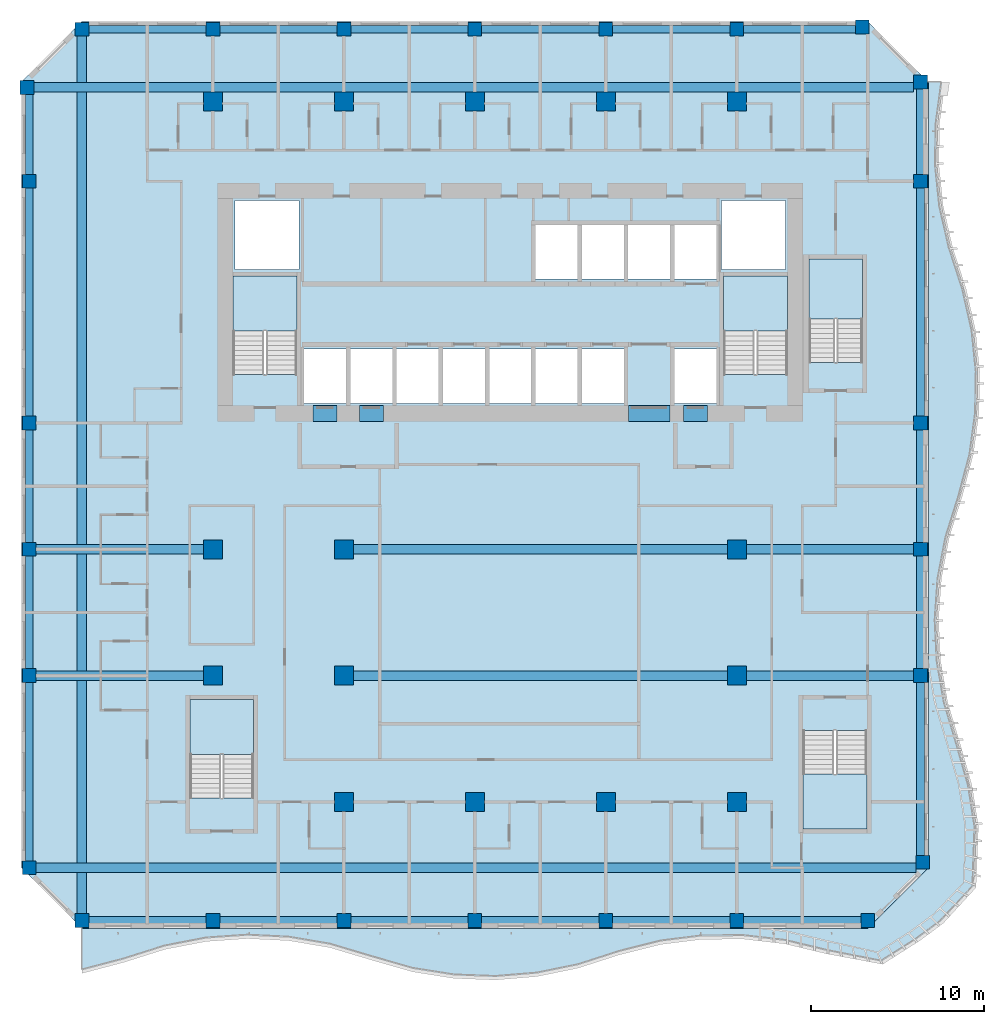
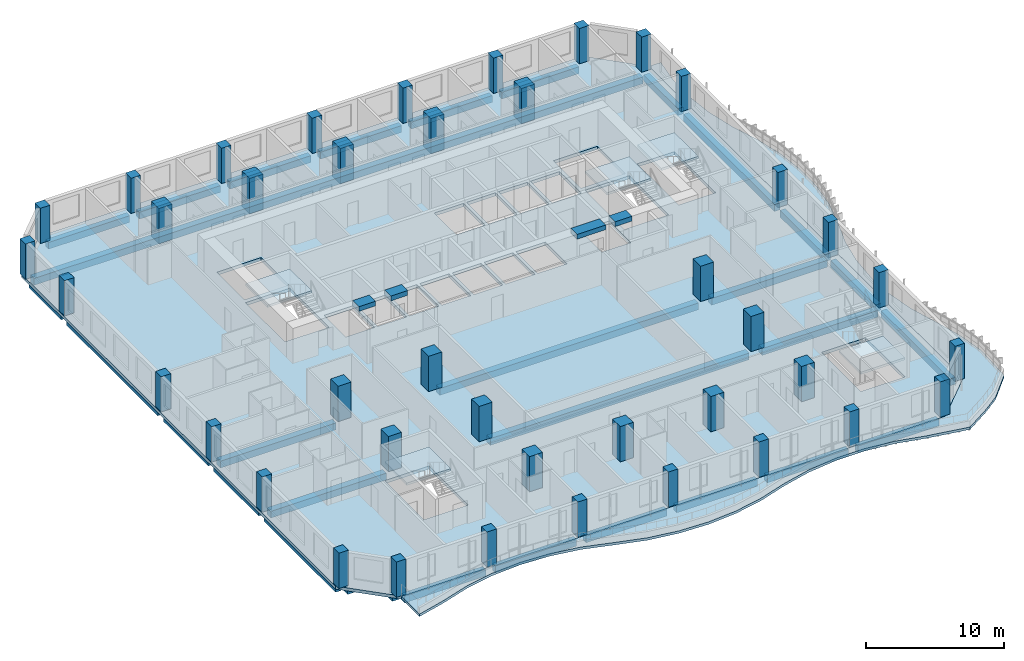
# One storey, part 1 of 23: 41 columns, 35 beams, 7 slabs, 5 elements without a shape of their own.
"""IFC4 building model written with IfcOpenShell, lengths in metres."""

from ifc_helpers import new_model, si_unit, direction, frame, origin, origin_2d, place, context, subcontext, project, spatial, polyline, rectangle, outline, extrude, source, transform, mapped, material, layer, layer_set, material_profile, profile_set, type_object, element, aggregate, save


model = new_model("IFC4")

# Units and contexts
model_context = context("Model", 3, precision=1e-05, world=origin(), true_north=direction((0.0, 1.0)))
body_context = subcontext(model_context, "Body", "Model", "MODEL_VIEW")
ifc_project = project(units=[si_unit("LENGTHUNIT", "METRE"), si_unit("AREAUNIT", "SQUARE_METRE"), si_unit("VOLUMEUNIT", "CUBIC_METRE"), si_unit("PLANEANGLEUNIT", "RADIAN"), si_unit("MASSUNIT", "GRAM", prefix="KILO")], contexts=[model_context])

# Site, building, storey
site_placement = place(None, origin())
site = spatial("IfcSite", under=ifc_project, at=site_placement, CompositionType="ELEMENT")
building_placement = place(site_placement, origin())
building = spatial("IfcBuilding", under=site, at=building_placement, Name="Kilnfold Tower and Market Hall", CompositionType="ELEMENT")
storey_placement = place(building_placement, frame((0.0, 0.0, 150.699951171875)))
storey = spatial("IfcBuildingStorey", under=building, at=storey_placement, Name="L34", CompositionType="ELEMENT", Elevation=150.699951171875)

# Columns
ifc_material_1 = material(Name="Concrete C70", Category="concrete")
ifc_material_profile_1 = material_profile(ifc_material_1, rectangle(XDim=0.800048828125, YDim=0.800048828125, at=origin_2d()), Name="RC 800x800")
ifc_profile_set_1 = profile_set([ifc_material_profile_1], Name="Concrete C70")
column_type_1 = type_object("IfcColumnType", Name="COLUMN 800X800 C70", PredefinedType="COLUMN", material=ifc_profile_set_1)
shared_shape_1 = source(origin(), body_context, "Body", "SweptSolid", [
    extrude(rectangle(XDim=0.800048828125, YDim=0.800048828125, at=origin_2d()), origin(), (0.0, 0.0, 1.0), 3.1201171875),
])
for number, where, z_axis, x_axis, name in (
    (1, (-26.931884765625, 27.431884765625, 0.0), (0.0, 0.0, 1.0), (1.0, 0.0, 0.0), "Column C-B4-1I"),
    (2, (-26.800048828125, -17.75, 0.0), (0.0, 0.0, 1.0), (1.0, 0.0, 0.0), "Column C-B4-1B"),
    (3, (-26.800048828125, -6.625, 0.0), (0.0, 0.0, 1.0), (1.0, 0.0, 0.0), "Column C-B4-1D"),
    (4, (-26.800048828125, 0.6875, 0.0), (0.0, 0.0, 1.0), (1.0, 0.0, 0.0), "Column C-B4-1E"),
    (5, (-26.800048828125, 8.0, 0.0), (0.0, 0.0, 1.0), (1.0, 0.0, 0.0), "Column C-B4-1F"),
    (6, (-26.800048828125, 22.0, 0.0), (0.0, 0.0, 1.0), (1.0, 0.0, 0.0), "Column C-B4-1G"),
    (7, (-23.75, -20.800048828125, 0.0), (0.0, 0.0, 1.0), (1.0, 0.0, 0.0), "Column C-B4-2A"),
    (8, (-23.75, 30.800048828125, 0.0), (0.0, 0.0, 1.0), (1.0, 0.0, 0.0), "Column C-B4-2J"),
    (9, (-16.166748046875, -20.800048828125, 0.0), (0.0, 0.0, 1.0), (1.0, 0.0, 0.0), "Column C-B4-3A"),
    (10, (-16.166748046875, 30.800048828125, 0.0), (0.0, 0.0, 1.0), (1.0, 0.0, 0.0), "Column C-B4-3J"),
    (11, (-8.583251953125, -20.800048828125, 0.0), (0.0, 0.0, 1.0), (1.0, 0.0, 0.0), "Column C-B4-4A"),
    (12, (-8.583251953125, 30.800048828125, 0.0), (0.0, 0.0, 1.0), (1.0, 0.0, 0.0), "Column C-B4-4J"),
    (13, (-1.0, -20.800048828125, 0.0), (0.0, 0.0, 1.0), (1.0, 0.0, 0.0), "Column C-B4-5A"),
    (14, (-1.0, 30.800048828125, 0.0), (0.0, 0.0, 1.0), (1.0, 0.0, 0.0), "Column C-B4-5J"),
    (15, (6.583251953125, -20.800048828125, 0.0), (0.0, 0.0, 1.0), (1.0, 0.0, 0.0), "Column C-B4-6A"),
    (16, (6.583251953125, 30.800048828125, 0.0), (0.0, 0.0, 1.0), (1.0, 0.0, 0.0), "Column C-B4-6J"),
    (17, (14.166748046875, -20.800048828125, 0.0), (0.0, 0.0, 1.0), (1.0, 0.0, 0.0), "Column C-B4-7A"),
    (18, (14.166748046875, 30.800048828125, 0.0), (0.0, 0.0, 1.0), (1.0, 0.0, 0.0), "Column C-B4-7J"),
    (19, (21.431884765625, 30.931884765625, 0.0), (0.0, 0.0, 1.0), (1.0, 0.0, 0.0), "Column C-B4-8J"),
    (20, (21.75, -20.800048828125, 0.0), (0.0, 0.0, 1.0), (1.0, 0.0, 0.0), "Column C-B4-8A"),
    (21, (24.800048828125, -6.625, 0.0), (0.0, 0.0, 1.0), (1.0, 0.0, 0.0), "Column C-B4-9D"),
    (22, (24.800048828125, 0.6875, 0.0), (0.0, 0.0, 1.0), (1.0, 0.0, 0.0), "Column C-B4-9E"),
    (23, (24.800048828125, 8.0, 0.0), (0.0, 0.0, 1.0), (1.0, 0.0, 0.0), "Column C-B4-9F"),
    (24, (24.800048828125, 22.0, 0.0), (0.0, 0.0, 1.0), (1.0, 0.0, 0.0), "Column C-B4-9G"),
    (25, (24.800048828125, 27.75, 0.0), (0.0, 0.0, 1.0), (1.0, 0.0, 0.0), "Column C-B4-9I"),
    (26, (24.931884765625, -17.431884765625, 0.0), (0.0, 0.0, 1.0), (1.0, 0.0, 0.0), "Column C-B4-9B"),
):
    element("IfcColumn", number, at=place(storey_placement, frame(where, z_axis=z_axis, x_axis=x_axis)), inside=storey, type_object=column_type_1, Name=name, PredefinedType="COLUMN", context=body_context, shape_type="MappedRepresentation", body=[
        mapped(shared_shape_1, transform((0.0, 0.0, 0.0))),
    ])
ifc_material_2 = material(Name="Concrete C70", Category="concrete")
ifc_material_profile_2 = material_profile(ifc_material_2, rectangle(XDim=1.10009765625, YDim=1.10009765625, at=origin_2d()), Name="RC 1100x1100")
ifc_profile_set_2 = profile_set([ifc_material_profile_2], Name="Concrete C70")
column_type_2 = type_object("IfcColumnType", Name="COLUMN 1100X1100 C70", PredefinedType="COLUMN", material=ifc_profile_set_2)
shared_shape_2 = source(origin(), body_context, "Body", "SweptSolid", [
    extrude(rectangle(XDim=1.10009765625, YDim=1.10009765625, at=origin_2d()), origin(), (0.0, 0.0, 1.0), 3.1201171875),
])
for number, where, z_axis, x_axis, name in (
    (27, (-16.166748046875, -6.625, 0.0), (0.0, 0.0, 1.0), (1.0, 0.0, 0.0), "Column C-B4-3D"),
    (28, (-16.166748046875, 0.6875, 0.0), (0.0, 0.0, 1.0), (1.0, 0.0, 0.0), "Column C-B4-3E"),
    (29, (-16.166748046875, 26.625, 0.0), (0.0, 0.0, 1.0), (1.0, 0.0, 0.0), "Column C-B4-3H"),
    (30, (-8.583251953125, -13.9375, 0.0), (0.0, 0.0, 1.0), (1.0, 0.0, 0.0), "Column C-B4-4C"),
    (31, (-8.583251953125, -6.625, 0.0), (0.0, 0.0, 1.0), (1.0, 0.0, 0.0), "Column C-B4-4D"),
    (32, (-8.583251953125, 0.6875, 0.0), (0.0, 0.0, 1.0), (1.0, 0.0, 0.0), "Column C-B4-4E"),
    (33, (-8.583251953125, 26.625, 0.0), (0.0, 0.0, 1.0), (1.0, 0.0, 0.0), "Column C-B4-4H"),
    (34, (-1.0, -13.9375, 0.0), (0.0, 0.0, 1.0), (1.0, 0.0, 0.0), "Column C-B4-5C"),
    (35, (-1.0, 26.625, 0.0), (0.0, 0.0, 1.0), (1.0, 0.0, 0.0), "Column C-B4-5H"),
    (36, (6.583251953125, -13.9375, 0.0), (0.0, 0.0, 1.0), (1.0, 0.0, 0.0), "Column C-B4-6C"),
    (37, (6.583251953125, 26.625, 0.0), (0.0, 0.0, 1.0), (1.0, 0.0, 0.0), "Column C-B4-6H"),
    (38, (14.166748046875, -13.9375, 0.0), (0.0, 0.0, 1.0), (1.0, 0.0, 0.0), "Column C-B4-7C"),
    (39, (14.166748046875, -6.625, 0.0), (0.0, 0.0, 1.0), (1.0, 0.0, 0.0), "Column C-B4-7D"),
    (40, (14.166748046875, 0.6875, 0.0), (0.0, 0.0, 1.0), (1.0, 0.0, 0.0), "Column C-B4-7E"),
    (41, (14.166748046875, 26.625, 0.0), (0.0, 0.0, 1.0), (1.0, 0.0, 0.0), "Column C-B4-7H"),
):
    element("IfcColumn", number, at=place(storey_placement, frame(where, z_axis=z_axis, x_axis=x_axis)), inside=storey, type_object=column_type_2, Name=name, PredefinedType="COLUMN", context=body_context, shape_type="MappedRepresentation", body=[
        mapped(shared_shape_2, transform((0.0, 0.0, 0.0))),
    ])

# Beams
ifc_material_3 = material(Name="Concrete C70", Category="concrete")
ifc_material_profile_3 = material_profile(ifc_material_3, rectangle(XDim=0.89990234375, YDim=0.419921875, at=origin_2d()), Name="RC 900x420")
ifc_profile_set_3 = profile_set([ifc_material_profile_3], Name="Concrete C70")
beam_type_1 = type_object("IfcBeamType", Name="COUPLING BEAM 900X420 C70", PredefinedType="BEAM", material=ifc_profile_set_3)
shared_shape_3 = source(origin(), body_context, "Body", "SweptSolid", [
    extrude(rectangle(XDim=0.89990234375, YDim=0.419921875, at=origin_2d()), origin(), (0.0, 0.0, 1.0), 1.400146484375),
])
beam_1_placement = place(storey_placement, frame((-10.3701171875, 8.550048828125, 2.91015625), z_axis=(1.0, 0.0, 0.0), x_axis=(0.0, 1.0, 0.0)))
element("IfcBeam", 42, at=beam_1_placement, inside=storey, type_object=beam_type_1, Name="Coupling beam CB420-70-CORE.37", PredefinedType="BEAM", context=body_context, shape_type="MappedRepresentation", body=[
    mapped(shared_shape_3, transform((0.0, 0.0, 0.0))),
])
shared_shape_4 = source(origin(), body_context, "Body", "SweptSolid", [
    extrude(rectangle(XDim=0.89990234375, YDim=0.419921875, at=origin_2d()), origin(), (0.0, 0.0, 1.0), 1.39990234375),
])
for number, where, z_axis, x_axis, name in (
    (43, (-7.68994140625, 8.550048828125, 2.91015625), (1.0, 0.0, 0.0), (0.0, 1.0, 0.0), "Coupling beam CB420-70-CORE.38"),
    (44, (11.070068359375, 8.550048828125, 2.91015625), (1.0, 0.0, 0.0), (0.0, 1.0, 0.0), "Coupling beam CB420-70-CORE.40"),
):
    element("IfcBeam", number, at=place(storey_placement, frame(where, z_axis=z_axis, x_axis=x_axis)), inside=storey, type_object=beam_type_1, Name=name, PredefinedType="BEAM", context=body_context, shape_type="MappedRepresentation", body=[
        mapped(shared_shape_4, transform((0.0, 0.0, 0.0))),
    ])
shared_shape_5 = source(origin(), body_context, "Body", "SweptSolid", [
    extrude(rectangle(XDim=0.89990234375, YDim=0.419921875, at=origin_2d()), origin(), (0.0, 0.0, 1.0), 2.400146484375),
])
beam_2_placement = place(storey_placement, frame((7.889892578125, 8.550048828125, 2.91015625), z_axis=(1.0, 0.0, 0.0), x_axis=(0.0, 1.0, 0.0)))
element("IfcBeam", 45, at=beam_2_placement, inside=storey, type_object=beam_type_1, Name="Coupling beam CB420-70-CORE.39", PredefinedType="BEAM", context=body_context, shape_type="MappedRepresentation", body=[
    mapped(shared_shape_5, transform((0.0, 0.0, 0.0))),
])
ifc_material_4 = material(Name="Concrete C45", Category="concrete")
ifc_material_profile_4 = material_profile(ifc_material_4, rectangle(XDim=0.449951171875, YDim=0.60009765625, at=origin_2d()), Name="RC 450x600")
ifc_profile_set_4 = profile_set([ifc_material_profile_4], Name="Concrete C45")
beam_type_2 = type_object("IfcBeamType", Name="EDGE BEAM 450X600 C45", PredefinedType="BEAM", material=ifc_profile_set_4)
shared_shape_6 = source(origin(), body_context, "Body", "SweptSolid", [
    extrude(rectangle(XDim=0.449951171875, YDim=0.60009765625, at=origin_2d()), origin(), (0.0, 0.0, 1.0), 6.783447265625),
])
for number, where, z_axis, x_axis, name in (
    (46, (-23.35009765625, -20.800048828125, -0.579833984375), (1.0, 0.0, 0.0), (0.0, 1.0, 0.0), "Beam EB600-B4.76"),
    (47, (-8.183349609375, -20.800048828125, -0.579833984375), (1.0, 0.0, 0.0), (0.0, 1.0, 0.0), "Beam EB600-B4.78"),
    (48, (-0.60009765625, -20.800048828125, -0.579833984375), (1.0, 0.0, 0.0), (0.0, 1.0, 0.0), "Beam EB600-B4.79"),
    (49, (14.566650390625, -20.800048828125, -0.579833984375), (1.0, 0.0, 0.0), (0.0, 1.0, 0.0), "Beam EB600-B4.81"),
    (50, (-23.35009765625, 30.800048828125, -0.579833984375), (1.0, 0.0, 0.0), (0.0, 1.0, 0.0), "Beam EB600-B4.88"),
    (51, (-8.183349609375, 30.800048828125, -0.579833984375), (1.0, 0.0, 0.0), (0.0, 1.0, 0.0), "Beam EB600-B4.90"),
    (52, (-0.60009765625, 30.800048828125, -0.579833984375), (1.0, 0.0, 0.0), (0.0, 1.0, 0.0), "Beam EB600-B4.91"),
):
    element("IfcBeam", number, at=place(storey_placement, frame(where, z_axis=z_axis, x_axis=x_axis)), inside=storey, type_object=beam_type_2, Name=name, PredefinedType="BEAM", context=body_context, shape_type="MappedRepresentation", body=[
        mapped(shared_shape_6, transform((0.0, 0.0, 0.0))),
    ])
shared_shape_7 = source(origin(), body_context, "Body", "SweptSolid", [
    extrude(rectangle(XDim=0.449951171875, YDim=0.60009765625, at=origin_2d()), origin(), (0.0, 0.0, 1.0), 6.783203125),
])
for number, where, z_axis, x_axis, name in (
    (53, (-15.7666015625, -20.800048828125, -0.579833984375), (1.0, 0.0, 0.0), (0.0, 1.0, 0.0), "Beam EB600-B4.77"),
    (54, (6.9833984375, -20.800048828125, -0.579833984375), (1.0, 0.0, 0.0), (0.0, 1.0, 0.0), "Beam EB600-B4.80"),
    (55, (-15.7666015625, 30.800048828125, -0.579833984375), (1.0, 0.0, 0.0), (0.0, 1.0, 0.0), "Beam EB600-B4.89"),
    (56, (6.9833984375, 30.800048828125, -0.579833984375), (1.0, 0.0, 0.0), (0.0, 1.0, 0.0), "Beam EB600-B4.92"),
):
    element("IfcBeam", number, at=place(storey_placement, frame(where, z_axis=z_axis, x_axis=x_axis)), inside=storey, type_object=beam_type_2, Name=name, PredefinedType="BEAM", context=body_context, shape_type="MappedRepresentation", body=[
        mapped(shared_shape_7, transform((0.0, 0.0, 0.0))),
    ])
ifc_material_5 = material(Name="Concrete C45", Category="concrete")
ifc_material_profile_5 = material_profile(ifc_material_5, rectangle(XDim=0.550048828125, YDim=0.60009765625, at=origin_2d()), Name="RC 550x600")
ifc_profile_set_5 = profile_set([ifc_material_profile_5], Name="Concrete C45")
beam_type_3 = type_object("IfcBeamType", Name="BEAM 550X600 C45", PredefinedType="BEAM", material=ifc_profile_set_5)
shared_shape_8 = source(origin(), body_context, "Body", "SweptSolid", [
    extrude(rectangle(XDim=0.550048828125, YDim=0.60009765625, at=origin_2d()), origin(), (0.0, 0.0, 1.0), 50.931640625),
])
for number, where, z_axis, x_axis, name in (
    (57, (-26.39990234375, -17.75, -0.579833984375), (1.0, 0.0, 0.0), (0.0, 1.0, 0.0), "Beam BB600-B4.82"),
    (58, (-26.53173828125, 27.429931640625, -0.579833984375), (1.0, 0.0, 0.0), (0.0, 1.0, 0.0), "Beam BB600-B4.87"),
):
    element("IfcBeam", number, at=place(storey_placement, frame(where, z_axis=z_axis, x_axis=x_axis)), inside=storey, type_object=beam_type_3, Name=name, PredefinedType="BEAM", context=body_context, shape_type="MappedRepresentation", body=[
        mapped(shared_shape_8, transform((0.0, 0.0, 0.0))),
    ])
shared_shape_9 = source(origin(), body_context, "Body", "SweptSolid", [
    extrude(rectangle(XDim=0.550048828125, YDim=0.60009765625, at=origin_2d()), origin(), (0.0, 0.0, 1.0), 9.68310546875),
])
for number, where, z_axis, x_axis, name in (
    (59, (-26.39990234375, -6.6201171875, -0.579833984375), (1.0, 0.0, 0.0), (0.0, 1.0, 0.0), "Beam BB600-B4.83"),
    (60, (14.716796875, -6.6201171875, -0.579833984375), (1.0, 0.0, 0.0), (0.0, 1.0, 0.0), "Beam BB600-B4.84"),
    (61, (-26.39990234375, 0.68994140625, -0.579833984375), (1.0, 0.0, 0.0), (0.0, 1.0, 0.0), "Beam BB600-B4.85"),
    (62, (14.716796875, 0.68994140625, -0.579833984375), (1.0, 0.0, 0.0), (0.0, 1.0, 0.0), "Beam BB600-B4.86"),
):
    element("IfcBeam", number, at=place(storey_placement, frame(where, z_axis=z_axis, x_axis=x_axis)), inside=storey, type_object=beam_type_3, Name=name, PredefinedType="BEAM", context=body_context, shape_type="MappedRepresentation", body=[
        mapped(shared_shape_9, transform((0.0, 0.0, 0.0))),
    ])
shared_shape_10 = source(origin(), body_context, "Body", "SweptSolid", [
    extrude(rectangle(XDim=0.449951171875, YDim=0.60009765625, at=origin_2d()), origin(), (0.0, 0.0, 1.0), 6.465087890625),
])
beam_3_placement = place(storey_placement, frame((14.566650390625, 30.800048828125, -0.579833984375), z_axis=(1.0, 0.0, 0.0), x_axis=(0.0, 1.0, 0.0)))
element("IfcBeam", 63, at=beam_3_placement, inside=storey, type_object=beam_type_2, Name="Beam EB600-B4.93", PredefinedType="BEAM", context=body_context, shape_type="MappedRepresentation", body=[
    mapped(shared_shape_10, transform((0.0, 0.0, 0.0))),
])
shared_shape_11 = source(origin(), body_context, "Body", "SweptSolid", [
    extrude(rectangle(XDim=0.449951171875, YDim=0.60009765625, at=origin_2d()), origin(), (0.0, 0.0, 1.0), 10.3251953125),
])
beam_4_placement = place(storey_placement, frame((-26.800048828125, -17.35009765625, -0.579833984375), z_axis=(0.0, 1.0, 0.0), x_axis=(-1.0, 0.0, 0.0)))
element("IfcBeam", 64, at=beam_4_placement, inside=storey, type_object=beam_type_2, Name="Beam EB600-B4.94", PredefinedType="BEAM", context=body_context, shape_type="MappedRepresentation", body=[
    mapped(shared_shape_11, transform((0.0, 0.0, 0.0))),
])
shared_shape_12 = source(origin(), body_context, "Body", "SweptSolid", [
    extrude(rectangle(XDim=0.449951171875, YDim=0.60009765625, at=origin_2d()), origin(), (0.0, 0.0, 1.0), 6.5126953125),
])
for number, where, z_axis, x_axis, name in (
    (65, (-26.800048828125, -6.22509765625, -0.579833984375), (0.0, 1.0, 0.0), (-1.0, 0.0, 0.0), "Beam EB600-B4.95"),
    (66, (-26.800048828125, 1.08740234375, -0.579833984375), (0.0, 1.0, 0.0), (-1.0, 0.0, 0.0), "Beam EB600-B4.96"),
    (67, (24.800048828125, -6.22509765625, -0.579833984375), (0.0, 1.0, 0.0), (-1.0, 0.0, 0.0), "Beam EB600-B4.101"),
    (68, (24.800048828125, 1.08740234375, -0.579833984375), (0.0, 1.0, 0.0), (-1.0, 0.0, 0.0), "Beam EB600-B4.102"),
):
    element("IfcBeam", number, at=place(storey_placement, frame(where, z_axis=z_axis, x_axis=x_axis)), inside=storey, type_object=beam_type_2, Name=name, PredefinedType="BEAM", context=body_context, shape_type="MappedRepresentation", body=[
        mapped(shared_shape_12, transform((0.0, 0.0, 0.0))),
    ])
shared_shape_13 = source(origin(), body_context, "Body", "SweptSolid", [
    extrude(rectangle(XDim=0.449951171875, YDim=0.60009765625, at=origin_2d()), origin(), (0.0, 0.0, 1.0), 13.2001953125),
])
for number, where, z_axis, x_axis, name in (
    (69, (-26.800048828125, 8.39990234375, -0.579833984375), (0.0, 1.0, 0.0), (-1.0, 0.0, 0.0), "Beam EB600-B4.97"),
    (70, (24.800048828125, 8.39990234375, -0.579833984375), (0.0, 1.0, 0.0), (-1.0, 0.0, 0.0), "Beam EB600-B4.103"),
):
    element("IfcBeam", number, at=place(storey_placement, frame(where, z_axis=z_axis, x_axis=x_axis)), inside=storey, type_object=beam_type_2, Name=name, PredefinedType="BEAM", context=body_context, shape_type="MappedRepresentation", body=[
        mapped(shared_shape_13, transform((0.0, 0.0, 0.0))),
    ])
shared_shape_14 = source(origin(), body_context, "Body", "SweptSolid", [
    extrude(rectangle(XDim=0.449951171875, YDim=0.60009765625, at=origin_2d()), origin(), (0.0, 0.0, 1.0), 4.6318359375),
])
beam_5_placement = place(storey_placement, frame((-26.800048828125, 22.39990234375, -0.579833984375), z_axis=(0.0, 1.0, 0.0), x_axis=(-1.0, 0.0, 0.0)))
element("IfcBeam", 71, at=beam_5_placement, inside=storey, type_object=beam_type_2, Name="Beam EB600-B4.98", PredefinedType="BEAM", context=body_context, shape_type="MappedRepresentation", body=[
    mapped(shared_shape_14, transform((0.0, 0.0, 0.0))),
])
shared_shape_15 = source(origin(), body_context, "Body", "SweptSolid", [
    extrude(rectangle(XDim=0.550048828125, YDim=0.60009765625, at=origin_2d()), origin(), (0.0, 0.0, 1.0), 50.7998046875),
])
beam_6_placement = place(storey_placement, frame((-23.75, -20.39990234375, -0.579833984375), z_axis=(0.0, 1.0, 0.0), x_axis=(-1.0, 0.0, 0.0)))
element("IfcBeam", 72, at=beam_6_placement, inside=storey, type_object=beam_type_3, Name="Beam BB600-B4.99", PredefinedType="BEAM", context=body_context, shape_type="MappedRepresentation", body=[
    mapped(shared_shape_15, transform((0.0, 0.0, 0.0))),
])
shared_shape_16 = source(origin(), body_context, "Body", "SweptSolid", [
    extrude(rectangle(XDim=0.449951171875, YDim=0.60009765625, at=origin_2d()), origin(), (0.0, 0.0, 1.0), 10.0068359375),
])
beam_7_placement = place(storey_placement, frame((24.800048828125, -17.03173828125, -0.579833984375), z_axis=(0.0, 1.0, 0.0), x_axis=(-1.0, 0.0, 0.0)))
element("IfcBeam", 73, at=beam_7_placement, inside=storey, type_object=beam_type_2, Name="Beam EB600-B4.100", PredefinedType="BEAM", context=body_context, shape_type="MappedRepresentation", body=[
    mapped(shared_shape_16, transform((0.0, 0.0, 0.0))),
])
shared_shape_17 = source(origin(), body_context, "Body", "SweptSolid", [
    extrude(rectangle(XDim=0.449951171875, YDim=0.60009765625, at=origin_2d()), origin(), (0.0, 0.0, 1.0), 4.9501953125),
])
beam_8_placement = place(storey_placement, frame((24.800048828125, 22.39990234375, -0.579833984375), z_axis=(0.0, 1.0, 0.0), x_axis=(-1.0, 0.0, 0.0)))
element("IfcBeam", 74, at=beam_8_placement, inside=storey, type_object=beam_type_2, Name="Beam EB600-B4.104", PredefinedType="BEAM", context=body_context, shape_type="MappedRepresentation", body=[
    mapped(shared_shape_17, transform((0.0, 0.0, 0.0))),
])
shared_shape_18 = source(origin(), body_context, "Body", "SweptSolid", [
    extrude(rectangle(XDim=0.550048828125, YDim=0.60009765625, at=origin_2d()), origin(), (0.0, 0.0, 1.0), 21.64990234375),
])
for number, where, z_axis, x_axis, name in (
    (75, (-8.033203125, -6.6201171875, -0.579833984375), (1.0, 0.0, 0.0), (0.0, 1.0, 0.0), "Beam BB600-B4.105"),
    (76, (-8.033203125, 0.68994140625, -0.579833984375), (1.0, 0.0, 0.0), (0.0, 1.0, 0.0), "Beam BB600-B4.106"),
):
    element("IfcBeam", number, at=place(storey_placement, frame(where, z_axis=z_axis, x_axis=x_axis)), inside=storey, type_object=beam_type_3, Name=name, PredefinedType="BEAM", context=body_context, shape_type="MappedRepresentation", body=[
        mapped(shared_shape_18, transform((0.0, 0.0, 0.0))),
    ])

# Slabs
ifc_material_6 = material(Name="Concrete C45", Category="concrete")
ifc_layer_1 = layer(ifc_material_6, 0.280029296875)
ifc_layer_set_1 = layer_set([ifc_layer_1], Name="Concrete C45")
slab_type_1 = type_object("IfcSlabType", Name="FLOOR SLAB 280", PredefinedType="FLOOR", material=ifc_layer_set_1)
shared_shape_19 = source(origin(), body_context, "Body", "SweptSolid", [
    extrude(outline(polyline([(-23.75, -21.25), (21.75, -21.25), (25.25, -17.75), (25.25, 27.75), (21.75, 31.25), (-23.75, 31.25), (-27.25, 27.75), (-27.25, -17.75), (-23.75, -21.25)]), holes=[polyline([(-13.800537109375, -13.699462890625), (-17.49951171875, -13.699462890625), (-17.49951171875, -8.00048828125), (-13.800537109375, -8.00048828125), (-13.800537109375, -13.699462890625)]), polyline([(-14.99951171875, 10.800537109375), (-14.99951171875, 16.49951171875), (-11.300537109375, 16.49951171875), (-11.300537109375, 10.800537109375), (-14.99951171875, 10.800537109375)]), polyline([(-11.175048828125, 16.875), (-14.875, 16.875), (-14.875, 20.875), (-11.175048828125, 20.875), (-11.175048828125, 16.875)]), polyline([(-8.455078125, 9.125), (-10.885009765625, 9.125), (-10.885009765625, 12.27490234375), (-8.455078125, 12.27490234375), (-8.455078125, 9.125)]), polyline([(-5.77490234375, 9.125), (-8.205078125, 9.125), (-8.205078125, 12.27490234375), (-5.77490234375, 12.27490234375), (-5.77490234375, 9.125)]), polyline([(-3.094970703125, 9.125), (-5.52490234375, 9.125), (-5.52490234375, 12.27490234375), (-3.094970703125, 12.27490234375), (-3.094970703125, 9.125)]), polyline([(-0.4150390625, 9.125), (-2.844970703125, 9.125), (-2.844970703125, 12.27490234375), (-0.4150390625, 12.27490234375), (-0.4150390625, 9.125)]), polyline([(2.264892578125, 9.125), (-0.1650390625, 9.125), (-0.1650390625, 12.27490234375), (2.264892578125, 12.27490234375), (2.264892578125, 9.125)]), polyline([(4.945068359375, 9.125), (2.514892578125, 9.125), (2.514892578125, 12.27490234375), (4.945068359375, 12.27490234375), (4.945068359375, 9.125)]), polyline([(2.514892578125, 16.324951171875), (2.514892578125, 19.47509765625), (4.945068359375, 19.47509765625), (4.945068359375, 16.324951171875), (2.514892578125, 16.324951171875)]), polyline([(7.625, 9.125), (5.195068359375, 9.125), (5.195068359375, 12.27490234375), (7.625, 12.27490234375), (7.625, 9.125)]), polyline([(7.625, 16.324951171875), (5.195068359375, 16.324951171875), (5.195068359375, 19.47509765625), (7.625, 19.47509765625), (7.625, 16.324951171875)]), polyline([(10.304931640625, 16.324951171875), (7.875, 16.324951171875), (7.875, 19.47509765625), (10.304931640625, 19.47509765625), (10.304931640625, 16.324951171875)]), polyline([(10.554931640625, 9.125), (10.554931640625, 12.27490234375), (12.985107421875, 12.27490234375), (12.985107421875, 9.125), (10.554931640625, 9.125)]), polyline([(10.554931640625, 16.324951171875), (10.554931640625, 19.47509765625), (12.985107421875, 19.47509765625), (12.985107421875, 16.324951171875), (10.554931640625, 16.324951171875)]), polyline([(13.27490234375, 16.875), (13.27490234375, 20.875), (16.97509765625, 20.875), (16.97509765625, 16.875), (13.27490234375, 16.875)]), polyline([(13.400390625, 10.800537109375), (13.400390625, 16.49951171875), (17.099609375, 16.49951171875), (17.099609375, 10.800537109375), (13.400390625, 10.800537109375)]), polyline([(18.00048828125, -9.800537109375), (21.699462890625, -9.800537109375), (21.699462890625, -15.49951171875), (18.00048828125, -15.49951171875), (18.00048828125, -9.800537109375)]), polyline([(21.449462890625, 11.50048828125), (18.3505859375, 11.50048828125), (18.3505859375, 17.49951171875), (21.449462890625, 17.49951171875), (21.449462890625, 11.50048828125)])]), origin(), (0.0, 0.0, 1.0), 0.280029296875),
])
slab_1_placement = place(storey_placement, frame((0.0, 0.0, -0.280029296875)))
element("IfcSlab", 77, at=slab_1_placement, inside=storey, type_object=slab_type_1, Name="Floor slab L34", PredefinedType="FLOOR", context=body_context, shape_type="MappedRepresentation", body=[
    mapped(shared_shape_19, transform((0.0, 0.0, 0.0))),
])
ifc_material_7 = material(Name="Concrete C40/50", Category="concrete")
ifc_layer_2 = layer(ifc_material_7, 0.219970703125)
ifc_layer_set_2 = layer_set([ifc_layer_2], Name="Concrete C40/50")
slab_type_2 = type_object("IfcSlabType", Name="BALCONY SLAB 220", PredefinedType="FLOOR", material=ifc_layer_set_2)
shared_shape_20 = source(origin(), body_context, "Body", "SweptSolid", [
    extrude(outline(polyline([(-23.75, -21.25), (21.75, -21.25), (25.25, -17.75), (25.25, 27.75), (26.23388671875, 27.75), (25.907470703125, 25.355224609375), (25.868896484375, 22.96044921875), (26.116455078125, 20.56591796875), (26.6611328125, 18.171142578125), (27.442626953125, 15.7763671875), (27.985595703125, 13.381591796875), (28.231689453125, 10.98681640625), (28.191650390625, 8.592041015625), (27.863525390625, 6.197509765625), (27.23291015625, 3.802490234375), (26.4765625, 1.407958984375), (26.017333984375, -0.98681640625), (25.85107421875, -3.381591796875), (25.969970703125, -5.7763671875), (26.37939453125, -8.171142578125), (27.09716796875, -10.56591796875), (27.780517578125, -12.96044921875), (28.1572265625, -15.355224609375), (28.0166015625, -18.89599609375), (26.126220703125, -20.959716796875), (24.78759765625, -21.954345703125), (22.614990234375, -23.33837890625), (19.355224609375, -22.732177734375), (16.96044921875, -22.156982421875), (14.56591796875, -21.880615234375), (12.171142578125, -21.890869140625), (9.7763671875, -22.188232421875), (7.381591796875, -22.785888671875), (4.98681640625, -23.557861328125), (2.592041015625, -24.048583984375), (0.197509765625, -24.2451171875), (-2.197509765625, -24.156005859375), (-4.592041015625, -23.777587890625), (-6.98681640625, -23.092529296875), (-9.381591796875, -22.376220703125), (-11.7763671875, -21.968505859375), (-14.171142578125, -21.85107421875), (-16.56591796875, -22.01904296875), (-18.96044921875, -22.47998046875), (-21.355224609375, -23.2373046875), (-23.75, -23.8662109375), (-23.75, -21.25)])), origin(), (0.0, 0.0, 1.0), 0.219970703125),
])
slab_2_placement = place(storey_placement, frame((0.0, 0.0, -0.219970703125)))
element("IfcSlab", 78, at=slab_2_placement, inside=storey, type_object=slab_type_2, Name="Balcony slab L34", PredefinedType="FLOOR", context=body_context, shape_type="MappedRepresentation", body=[
    mapped(shared_shape_20, transform((0.0, 0.0, 0.0))),
])

# Stair, slab
ifc_material_8 = material(Name="Concrete C40/50", Category="concrete")
stair_type_1 = type_object("IfcStairType", Name="CORE STAIR 1800", PredefinedType="HALF_TURN_STAIR", material=ifc_material_8)
stair_1_placement = place(storey_placement, origin())
stair_1 = element("IfcStair", 79, at=stair_1_placement, inside=storey, type_object=stair_type_1, Name="L34 ST1", PredefinedType="HALF_TURN_STAIR")
ifc_material_9 = material(Name="Concrete C40/50", Category="concrete")
ifc_layer_3 = layer(ifc_material_9, 0.199951171875)
ifc_layer_set_3 = layer_set([ifc_layer_3], Name="Concrete C40/50")
slab_type_3 = type_object("IfcSlabType", Name="CORE STAIR LANDING 200", PredefinedType="LANDING", material=ifc_layer_set_3)
shared_shape_21 = source(origin(), body_context, "Body", "SweptSolid", [
    extrude(outline(polyline([(-11.300048828125, 13.320068359375), (-11.300048828125, 16.5), (-15.0, 16.5), (-15.0, 13.320068359375), (-11.300048828125, 13.320068359375)])), origin(), (0.0, 0.0, 1.0), 0.199951171875),
])
slab_3_placement = place(storey_placement, frame((0.0, 0.0, 1.5)))
slab_3 = element("IfcSlab", 80, at=slab_3_placement, type_object=slab_type_3, Name="ST1 landing 1", PredefinedType="LANDING", context=body_context, shape_type="MappedRepresentation", body=[
    mapped(shared_shape_21, transform((0.0, 0.0, 0.0))),
])
aggregate(stair_1, [slab_3])

stair_2_placement = place(storey_placement, origin())
stair_2 = element("IfcStair", 81, at=stair_2_placement, inside=storey, type_object=stair_type_1, Name="L34 ST2", PredefinedType="HALF_TURN_STAIR")
shared_shape_22 = source(origin(), body_context, "Body", "SweptSolid", [
    extrude(outline(polyline([(17.10009765625, 13.320068359375), (17.10009765625, 16.5), (13.39990234375, 16.5), (13.39990234375, 13.320068359375), (17.10009765625, 13.320068359375)])), origin(), (0.0, 0.0, 1.0), 0.199951171875),
])
slab_4_placement = place(storey_placement, frame((0.0, 0.0, 1.5)))
slab_4 = element("IfcSlab", 82, at=slab_4_placement, type_object=slab_type_3, Name="ST2 landing 1", PredefinedType="LANDING", context=body_context, shape_type="MappedRepresentation", body=[
    mapped(shared_shape_22, transform((0.0, 0.0, 0.0))),
])
aggregate(stair_2, [slab_4])

stair_3_placement = place(storey_placement, origin())
stair_3 = element("IfcStair", 83, at=stair_3_placement, inside=storey, type_object=stair_type_1, Name="L34 ST3", PredefinedType="HALF_TURN_STAIR")
shared_shape_23 = source(origin(), body_context, "Body", "SweptSolid", [
    extrude(outline(polyline([(-13.800048828125, -11.179931640625), (-13.800048828125, -8.0), (-17.5, -8.0), (-17.5, -11.179931640625), (-13.800048828125, -11.179931640625)])), origin(), (0.0, 0.0, 1.0), 0.199951171875),
])
slab_5_placement = place(storey_placement, frame((0.0, 0.0, 1.5)))
slab_5 = element("IfcSlab", 84, at=slab_5_placement, type_object=slab_type_3, Name="ST3 landing 1", PredefinedType="LANDING", context=body_context, shape_type="MappedRepresentation", body=[
    mapped(shared_shape_23, transform((0.0, 0.0, 0.0))),
])
aggregate(stair_3, [slab_5])

stair_4_placement = place(storey_placement, origin())
stair_4 = element("IfcStair", 85, at=stair_4_placement, inside=storey, type_object=stair_type_1, Name="L34 ST4", PredefinedType="HALF_TURN_STAIR")
shared_shape_24 = source(origin(), body_context, "Body", "SweptSolid", [
    extrude(outline(polyline([(18.0, -12.320068359375), (18.0, -15.5), (21.699951171875, -15.5), (21.699951171875, -12.320068359375), (18.0, -12.320068359375)])), origin(), (0.0, 0.0, 1.0), 0.199951171875),
])
slab_6_placement = place(storey_placement, frame((0.0, 0.0, 1.5)))
slab_6 = element("IfcSlab", 86, at=slab_6_placement, type_object=slab_type_3, Name="ST4 landing 1", PredefinedType="LANDING", context=body_context, shape_type="MappedRepresentation", body=[
    mapped(shared_shape_24, transform((0.0, 0.0, 0.0))),
])
aggregate(stair_4, [slab_6])

ifc_material_10 = material(Name="Concrete C40/50", Category="concrete")
stair_type_2 = type_object("IfcStairType", Name="CORE STAIR 1500", PredefinedType="HALF_TURN_STAIR", material=ifc_material_10)
stair_5_placement = place(storey_placement, origin())
stair_5 = element("IfcStair", 87, at=stair_5_placement, inside=storey, type_object=stair_type_2, Name="L34 ST5", PredefinedType="HALF_TURN_STAIR")
shared_shape_25 = source(origin(), body_context, "Body", "SweptSolid", [
    extrude(outline(polyline([(21.449951171875, 14.02001953125), (21.449951171875, 17.5), (18.35009765625, 17.5), (18.35009765625, 14.02001953125), (21.449951171875, 14.02001953125)])), origin(), (0.0, 0.0, 1.0), 0.199951171875),
])
slab_7_placement = place(storey_placement, frame((0.0, 0.0, 1.5)))
slab_7 = element("IfcSlab", 88, at=slab_7_placement, type_object=slab_type_3, Name="ST5 landing 1", PredefinedType="LANDING", context=body_context, shape_type="MappedRepresentation", body=[
    mapped(shared_shape_25, transform((0.0, 0.0, 0.0))),
])
aggregate(stair_5, [slab_7])

save(model, "model.ifc")
